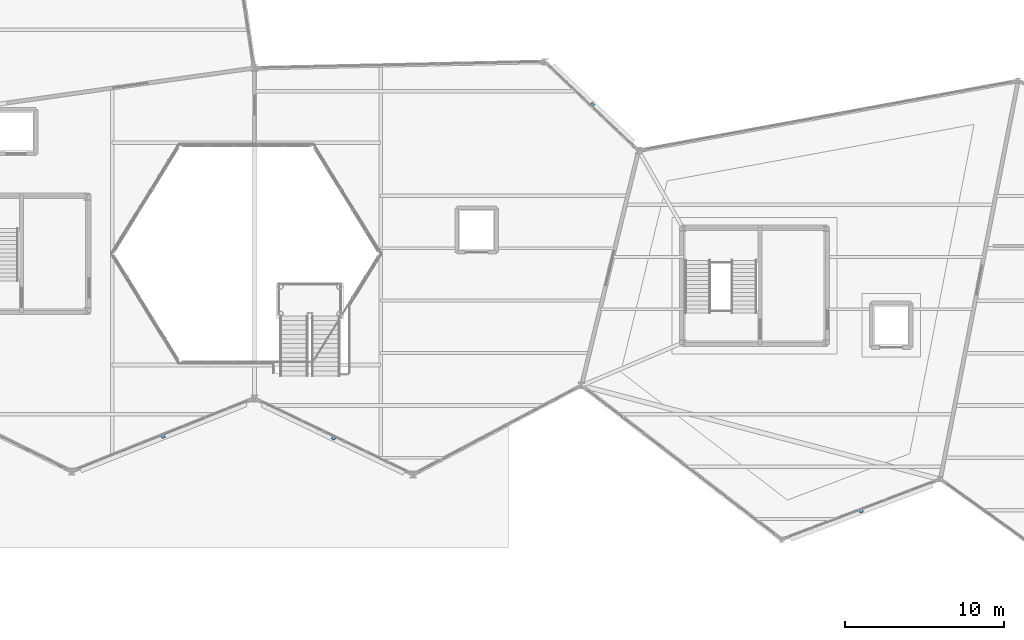
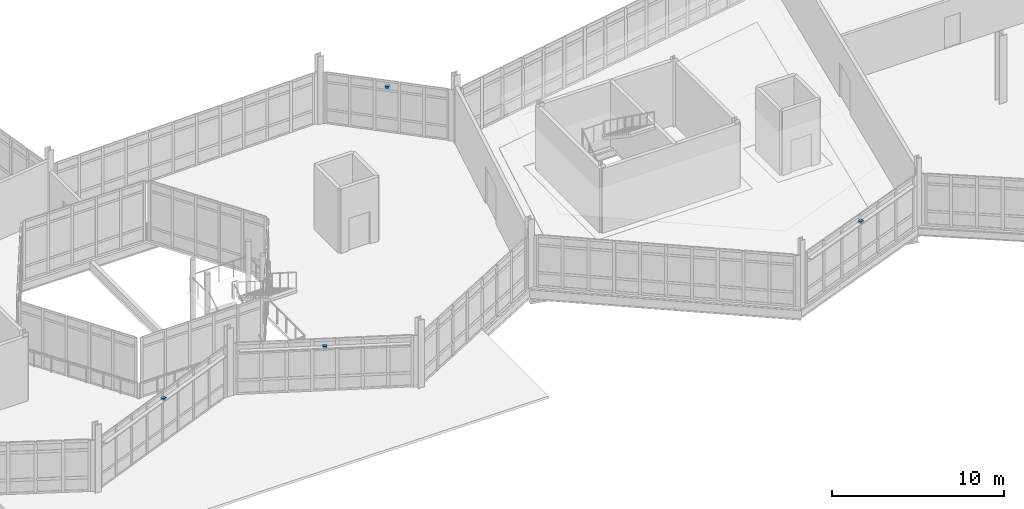
# One storey, part 123 of 134: 4 discrete accessories.
"""IFC4 building model written with IfcOpenShell, lengths in metres."""

from ifc_helpers import new_model, si_unit, direction, frame, origin, origin_2d, place, context, subcontext, project, spatial, rectangle, extrude, material, type_object, element, save


model = new_model("IFC4")

# Units and contexts
model_context = context("Model", 3, precision=1e-05, world=origin(), true_north=direction((0.0, 1.0)))
body_context = subcontext(model_context, "Body", "Model", "MODEL_VIEW")
ifc_project = project(units=[si_unit("LENGTHUNIT", "METRE"), si_unit("AREAUNIT", "SQUARE_METRE"), si_unit("VOLUMEUNIT", "CUBIC_METRE"), si_unit("PLANEANGLEUNIT", "RADIAN"), si_unit("MASSUNIT", "GRAM", prefix="KILO")], contexts=[model_context])

# Site, building, storey
site_placement = place(None, origin())
site = spatial("IfcSite", under=ifc_project, at=site_placement, CompositionType="ELEMENT")
building_placement = place(site_placement, origin())
building = spatial("IfcBuilding", under=site, at=building_placement, Name="Tameran Prism Museum", CompositionType="ELEMENT")
storey_placement = place(building_placement, frame((0.0, 0.0, 5.39990234375)))
storey = spatial("IfcBuildingStorey", under=building, at=storey_placement, Name="L01", CompositionType="ELEMENT", Elevation=5.39990234375)

# Discrete accessories
ifc_material = material(Name="Galvanized Steel Grade 350 (350 MPa)", Category="steel")
discrete_accessory_type = type_object("IfcDiscreteAccessoryType", Name="DA-BRK-STL", PredefinedType="BRACKET", material=ifc_material)
for number, where, z_axis, x_axis, name in (
    (1, (71.751953125, 25.014892578125, 3.09033203125), (0.0, 0.0, 1.0), (-0.928485826881, -0.37136783555, 0.0), "Facade Sunshade Bracket BK-022"),
    (2, (82.491943359375, 24.9150390625, 3.09033203125), (0.0, 0.0, 1.0), (-0.9015306539, 0.43271524133, 0.0), "Facade Sunshade Bracket BK-023"),
    (3, (98.782958984375, 45.8779296875, 3.09033203125), (0.0, 0.0, 1.0), (0.725374371012, -0.688354575694, 0.0), "Facade Sunshade Bracket BK-024"),
    (4, (115.699951171875, 20.31396484375, 3.09033203125), (0.0, 0.0, 1.0), (-0.934763684301, -0.355270114859, 0.0), "Facade Sunshade Bracket BK-027"),
):
    element("IfcDiscreteAccessory", number, at=place(storey_placement, frame(where, z_axis=z_axis, x_axis=x_axis)), inside=storey, type_object=discrete_accessory_type, Name=name, PredefinedType="BRACKET", context=body_context, shape_type="SweptSolid", body=[
        extrude(rectangle(XDim=0.239990234375, YDim=0.239990234375, at=origin_2d()), origin(), (0.0, 0.0, 1.0), 0.159912109375),
    ])

save(model, "model.ifc")
